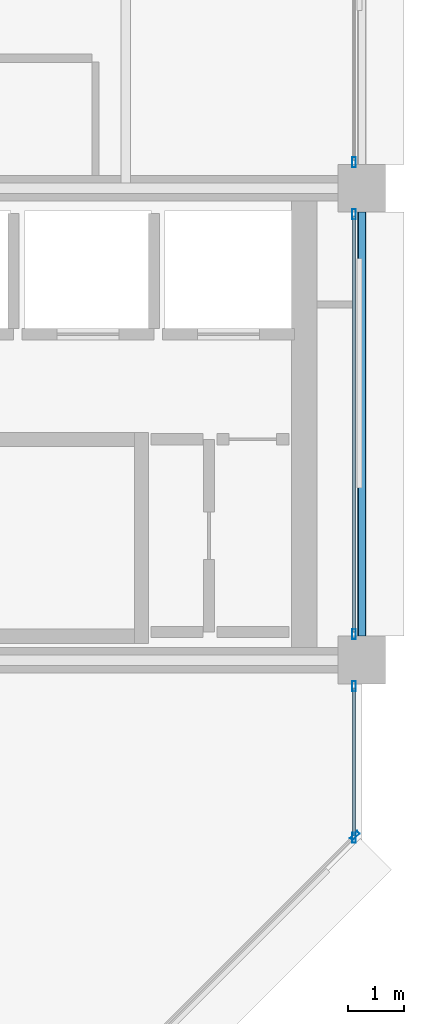
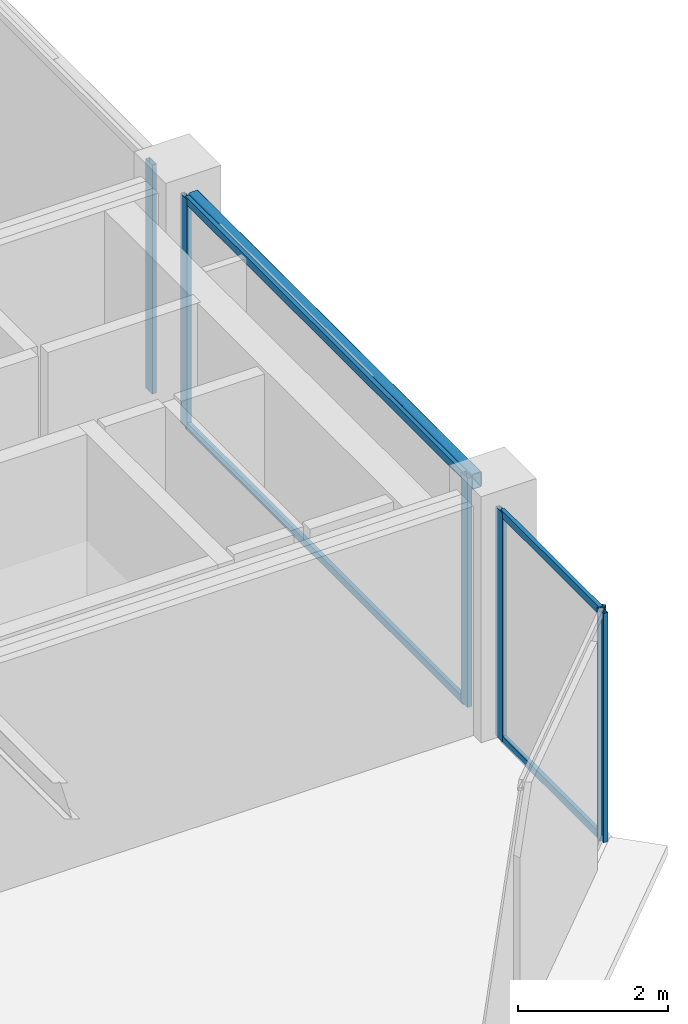
# One storey, part 14 of 25: 10 members, 1 beam, 4 elements without a shape of their own.
"""IFC4 building model written with IfcOpenShell, lengths in metres."""

from ifc_helpers import new_model, si_unit, direction, frame, origin, origin_2d, place, context, subcontext, project, spatial, hollow_rectangle, extrude, material, layer, layer_set, material_profile, profile_set, type_object, element, aggregate, save


model = new_model("IFC4")

# Units and contexts
model_context = context("Model", 3, precision=1e-05, world=origin(), true_north=direction((0.0, 1.0)))
body_context = subcontext(model_context, "Body", "Model", "MODEL_VIEW")
ifc_project = project(units=[si_unit("LENGTHUNIT", "METRE"), si_unit("AREAUNIT", "SQUARE_METRE"), si_unit("VOLUMEUNIT", "CUBIC_METRE"), si_unit("PLANEANGLEUNIT", "RADIAN"), si_unit("MASSUNIT", "GRAM", prefix="KILO")], contexts=[model_context])

# Site, building, storey
site_placement = place(None, origin())
site = spatial("IfcSite", under=ifc_project, at=site_placement, CompositionType="ELEMENT")
building_placement = place(site_placement, origin())
building = spatial("IfcBuilding", under=site, at=building_placement, Name="Nerrivon Quay Data Exchange", CompositionType="ELEMENT")
storey_placement = place(building_placement, frame((0.0, 0.0, 302.199951171875)))
storey = spatial("IfcBuildingStorey", under=building, at=storey_placement, Name="L72", CompositionType="ELEMENT", Elevation=302.199951171875)

# Beam
ifc_material_1 = material(Name="Steel Grade C350L0 (350 MPa)", Category="steel")
ifc_material_profile_1 = material_profile(ifc_material_1, hollow_rectangle(XDim=0.14990234375, YDim=0.25, WallThickness=0.009033203125, InnerFilletRadius=0.013427734375, OuterFilletRadius=0.0224609375, at=origin_2d()), Name="250x150x9.0RHS")
ifc_profile_set_1 = profile_set([ifc_material_profile_1], Name="Steel Grade C350L0 (350 MPa)")
beam_type = type_object("IfcBeamType", Name="BM-SP4-250x150RHS", PredefinedType="SPANDREL", material=ifc_profile_set_1)
beam_placement = place(storey_placement, frame((33.60009765625, 8.824951171875, 3.60009765625), z_axis=(0.0, 1.0, 0.0), x_axis=(-1.0, 0.0, 0.0)))
element("IfcBeam", 1, at=beam_placement, inside=storey, type_object=beam_type, Name="L72 NS Girder X=33.6 (8.4..16.8)", PredefinedType="SPANDREL", context=body_context, shape_type="SweptSolid", body=[
    extrude(hollow_rectangle(XDim=0.14990234375, YDim=0.25, WallThickness=0.009033203125, InnerFilletRadius=0.013427734375, OuterFilletRadius=0.0224609375, at=origin_2d()), origin(), (0.0, 0.0, 1.0), 7.550048828125),
])

# Curtain wall, member
ifc_material_2 = material(Name="Anodised aluminium 6063-T6", Category="aluminium")
ifc_layer = layer(ifc_material_2, 0.195068359375)
ifc_layer_set = layer_set([ifc_layer], Name="Anodised aluminium 6063-T6")
curtain_wall_type = type_object("IfcCurtainWallType", Name="CW-SYS-06", PredefinedType="NOTDEFINED", material=ifc_layer_set)
curtain_wall_1_placement = place(storey_placement, origin())
curtain_wall_1 = element("IfcCurtainWall", 2, at=curtain_wall_1_placement, inside=storey, type_object=curtain_wall_type, Name="L72 Unitised Curtain Wall 1", PredefinedType="NOTDEFINED")
ifc_material_profile_2 = material_profile(ifc_material_2, hollow_rectangle(XDim=0.06494140625, YDim=0.179931640625, WallThickness=0.00341796875, at=origin_2d()), Name="ALU-MULL-180x65")
ifc_profile_set_2 = profile_set([ifc_material_profile_2], Name="Anodised aluminium 6063-T6")
member_type_1 = type_object("IfcMemberType", Name="CWM-180x65", PredefinedType="MULLION", material=ifc_profile_set_2)
member_1_placement = place(storey_placement, frame((33.474365234375, 5.2724609375, 0.0), z_axis=(0.0, 0.0, 1.0), x_axis=(0.707106781187, -0.707106781187, 0.0)))
member_1 = element("IfcMember", 3, at=member_1_placement, type_object=member_type_1, Name="CW06 mullion 1", PredefinedType="MULLION", context=body_context, shape_type="SweptSolid", body=[
    extrude(hollow_rectangle(XDim=0.06494140625, YDim=0.179931640625, WallThickness=0.00341796875, at=origin_2d()), origin(), (0.0, 0.0, 1.0), 3.72509765625),
])
aggregate(curtain_wall_1, [member_1])

curtain_wall_2_placement = place(storey_placement, origin())
curtain_wall_2 = element("IfcCurtainWall", 4, at=curtain_wall_2_placement, inside=storey, type_object=curtain_wall_type, Name="L72 Unitised Curtain Wall 22", PredefinedType="NOTDEFINED")
member_2_placement = place(storey_placement, frame((33.4599609375, 17.262451171875, 0.0), z_axis=(0.0, 0.0, 1.0), x_axis=(1.0, 0.0, 0.0)))
member_2 = element("IfcMember", 5, at=member_2_placement, type_object=member_type_1, Name="CW06 mullion 2", PredefinedType="MULLION", context=body_context, shape_type="SweptSolid", body=[
    extrude(hollow_rectangle(XDim=0.06494140625, YDim=0.179931640625, WallThickness=0.00341796875, at=origin_2d()), origin(), (0.0, 0.0, 1.0), 3.72509765625),
])
aggregate(curtain_wall_2, [member_2])

# Curtain wall, members
curtain_wall_3_placement = place(storey_placement, origin())
curtain_wall_3 = element("IfcCurtainWall", 6, at=curtain_wall_3_placement, inside=storey, type_object=curtain_wall_type, Name="L72 Unitised Curtain Wall 23", PredefinedType="NOTDEFINED")
member_3_placement = place(storey_placement, frame((33.4599609375, 16.33740234375, 0.0), z_axis=(0.0, 0.0, 1.0), x_axis=(1.0, 0.0, 0.0)))
member_3 = element("IfcMember", 7, at=member_3_placement, type_object=member_type_1, Name="CW06 mullion 1", PredefinedType="MULLION", context=body_context, shape_type="SweptSolid", body=[
    extrude(hollow_rectangle(XDim=0.06494140625, YDim=0.179931640625, WallThickness=0.00341796875, at=origin_2d()), origin(), (0.0, 0.0, 1.0), 3.72509765625),
])
member_4_placement = place(storey_placement, frame((33.4599609375, 8.862548828125, 0.0), z_axis=(0.0, 0.0, 1.0), x_axis=(1.0, 0.0, 0.0)))
member_4 = element("IfcMember", 8, at=member_4_placement, type_object=member_type_1, Name="CW06 mullion 2", PredefinedType="MULLION", context=body_context, shape_type="SweptSolid", body=[
    extrude(hollow_rectangle(XDim=0.06494140625, YDim=0.179931640625, WallThickness=0.00341796875, at=origin_2d()), origin(), (0.0, 0.0, 1.0), 3.72509765625),
])

curtain_wall_4_placement = place(storey_placement, origin())
curtain_wall_4 = element("IfcCurtainWall", 9, at=curtain_wall_4_placement, inside=storey, type_object=curtain_wall_type, Name="L72 Unitised Curtain Wall 24", PredefinedType="NOTDEFINED")
member_5_placement = place(storey_placement, frame((33.4599609375, 7.9375, 0.0), z_axis=(0.0, 0.0, 1.0), x_axis=(1.0, 0.0, 0.0)))
member_5 = element("IfcMember", 10, at=member_5_placement, type_object=member_type_1, Name="CW06 mullion 1", PredefinedType="MULLION", context=body_context, shape_type="SweptSolid", body=[
    extrude(hollow_rectangle(XDim=0.06494140625, YDim=0.179931640625, WallThickness=0.00341796875, at=origin_2d()), origin(), (0.0, 0.0, 1.0), 3.72509765625),
])
member_6_placement = place(storey_placement, frame((33.4599609375, 5.237548828125, 0.0), z_axis=(0.0, 0.0, 1.0), x_axis=(1.0, 0.0, 0.0)))
member_6 = element("IfcMember", 11, at=member_6_placement, type_object=member_type_1, Name="CW06 mullion 2", PredefinedType="MULLION", context=body_context, shape_type="SweptSolid", body=[
    extrude(hollow_rectangle(XDim=0.06494140625, YDim=0.179931640625, WallThickness=0.00341796875, at=origin_2d()), origin(), (0.0, 0.0, 1.0), 3.72509765625),
])

# Member
ifc_material_profile_3 = material_profile(ifc_material_2, hollow_rectangle(XDim=0.06005859375, YDim=0.1201171875, WallThickness=0.003173828125, at=origin_2d()), Name="ALU-TRAN-120x60")
ifc_profile_set_3 = profile_set([ifc_material_profile_3], Name="Anodised aluminium 6063-T6")
member_type_2 = type_object("IfcMemberType", Name="CWT-120x60", PredefinedType="USERDEFINED", material=ifc_profile_set_3)
member_7_placement = place(storey_placement, frame((33.4599609375, 16.300048828125, 0.032470703125), z_axis=(0.0, -1.0, 0.0), x_axis=(1.0, 0.0, 0.0)))
member_7 = element("IfcMember", 12, at=member_7_placement, type_object=member_type_2, Name="CW06 transom 1.1", ObjectType="TRANSOM", PredefinedType="USERDEFINED", context=body_context, shape_type="SweptSolid", body=[
    extrude(hollow_rectangle(XDim=0.06005859375, YDim=0.1201171875, WallThickness=0.003173828125, at=origin_2d()), origin(), (0.0, 0.0, 1.0), 7.400146484375),
])

member_8_placement = place(storey_placement, frame((33.4599609375, 16.300048828125, 3.692626953125), z_axis=(0.0, -1.0, 0.0), x_axis=(1.0, 0.0, 0.0)))
member_8 = element("IfcMember", 13, at=member_8_placement, type_object=member_type_2, Name="CW06 transom 1.2", ObjectType="TRANSOM", PredefinedType="USERDEFINED", context=body_context, shape_type="SweptSolid", body=[
    extrude(hollow_rectangle(XDim=0.06005859375, YDim=0.1201171875, WallThickness=0.003173828125, at=origin_2d()), origin(), (0.0, 0.0, 1.0), 7.400146484375),
])

aggregate(curtain_wall_3, [member_3, member_4, member_7, member_8])

member_9_placement = place(storey_placement, frame((33.4599609375, 7.89990234375, 0.032470703125), z_axis=(0.0, -1.0, 0.0), x_axis=(1.0, 0.0, 0.0)))
member_9 = element("IfcMember", 14, at=member_9_placement, type_object=member_type_2, Name="CW06 transom 1.1", ObjectType="TRANSOM", PredefinedType="USERDEFINED", context=body_context, shape_type="SweptSolid", body=[
    extrude(hollow_rectangle(XDim=0.06005859375, YDim=0.1201171875, WallThickness=0.003173828125, at=origin_2d()), origin(), (0.0, 0.0, 1.0), 2.625),
])

member_10_placement = place(storey_placement, frame((33.4599609375, 7.89990234375, 3.692626953125), z_axis=(0.0, -1.0, 0.0), x_axis=(1.0, 0.0, 0.0)))
member_10 = element("IfcMember", 15, at=member_10_placement, type_object=member_type_2, Name="CW06 transom 1.2", ObjectType="TRANSOM", PredefinedType="USERDEFINED", context=body_context, shape_type="SweptSolid", body=[
    extrude(hollow_rectangle(XDim=0.06005859375, YDim=0.1201171875, WallThickness=0.003173828125, at=origin_2d()), origin(), (0.0, 0.0, 1.0), 2.625),
])

aggregate(curtain_wall_4, [member_5, member_6, member_9, member_10])

save(model, "model.ifc")
